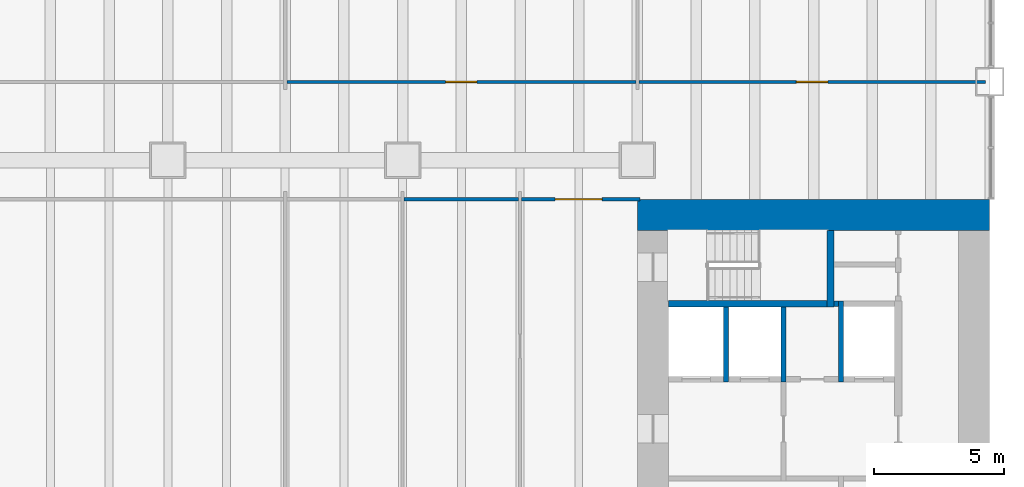
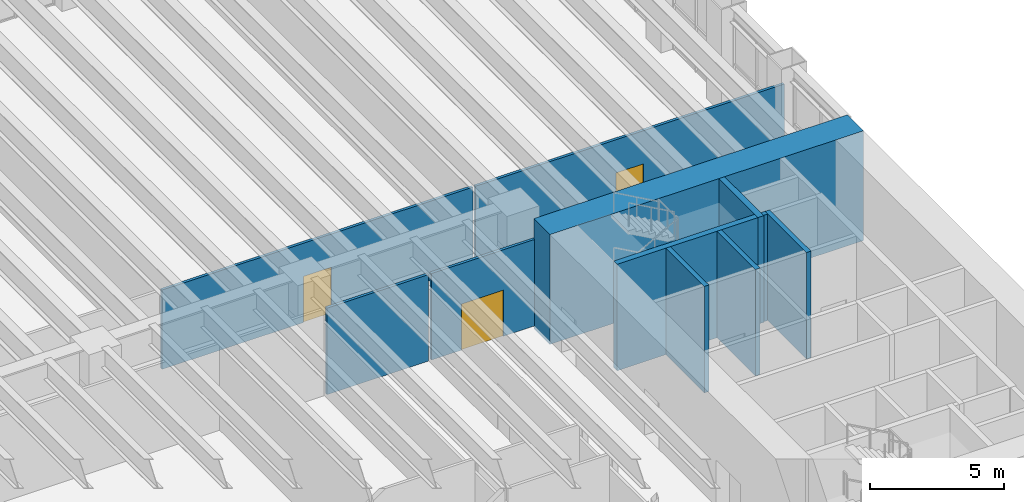
# One storey, part 14 of 21: 11 walls, 3 doors, 3 openings.
"""IFC4 building model written with IfcOpenShell, lengths in metres."""

from ifc_helpers import new_model, si_unit, direction, frame, frame_2d, origin, place, context, subcontext, project, spatial, rectangle, extrude, material, layer, layer_set, type_object, element, fill, save


model = new_model("IFC4")

# Units and contexts
model_context = context("Model", 3, precision=1e-05, world=origin(), true_north=direction((0.0, 1.0)))
body_context = subcontext(model_context, "Body", "Model", "MODEL_VIEW")
ifc_project = project(units=[si_unit("LENGTHUNIT", "METRE"), si_unit("AREAUNIT", "SQUARE_METRE"), si_unit("VOLUMEUNIT", "CUBIC_METRE"), si_unit("PLANEANGLEUNIT", "RADIAN"), si_unit("MASSUNIT", "GRAM", prefix="KILO")], contexts=[model_context])

# Site, building, storey
site_placement = place(None, origin())
site = spatial("IfcSite", under=ifc_project, at=site_placement, CompositionType="ELEMENT")
building_placement = place(site_placement, origin())
building = spatial("IfcBuilding", under=site, at=building_placement, Name="Sennacour Bend Tower", CompositionType="ELEMENT")
storey_placement = place(building_placement, frame((0.0, 0.0, 24.0)))
storey = spatial("IfcBuildingStorey", under=building, at=storey_placement, Name="L04", CompositionType="ELEMENT", Elevation=24.0)

# Walls
ifc_material_1 = material(Name="Concrete C80/95", Category="concrete")
ifc_layer_1 = layer(ifc_material_1, 1.199951171875, Name="Concrete C80/95", Category="concrete")
ifc_layer_set_1 = layer_set([ifc_layer_1], Name="Concrete C80/95")
wall_type_1 = type_object("IfcWallType", Name="Core wall 1200 C80/95", PredefinedType="SHEAR", material=ifc_layer_set_1)
wall_1_placement = place(storey_placement, frame((54.0, 21.89990234375, -0.14990234375), z_axis=(0.0, 0.0, 1.0), x_axis=(1.0, 0.0, 0.0)))
element("IfcWall", 1, at=wall_1_placement, inside=storey, type_object=wall_type_1, Name="Core A wall L04 N", PredefinedType="SHEAR", context=body_context, shape_type="SweptSolid", body=[
    extrude(rectangle(XDim=13.5, YDim=1.199951171875, at=frame_2d((6.75, 0.0))), origin(), (0.0, 0.0, 1.0), 5.0),
])
ifc_material_2 = material(Name="Plasterboard partition on steel studs", Category="steel")
ifc_layer_2 = layer(ifc_material_2, 0.1201171875, Name="Plasterboard partition on steel studs", Category="steel")
ifc_layer_set_2 = layer_set([ifc_layer_2], Name="Plasterboard partition on steel studs")
wall_type_2 = type_object("IfcWallType", Name="Partition 120", PredefinedType="PARTITIONING", material=ifc_layer_set_2)
wall_2_placement = place(storey_placement, frame((45.06005859375, 22.5, 0.0), z_axis=(0.0, 0.0, 1.0), x_axis=(1.0, 0.0, 0.0)))
element("IfcWall", 2, at=wall_2_placement, inside=storey, type_object=wall_type_2, Name="P-L04-W066ag", PredefinedType="PARTITIONING", context=body_context, shape_type="SweptSolid", body=[
    extrude(rectangle(XDim=4.3798828125, YDim=0.1201171875, at=frame_2d((2.18994140625, 0.0))), origin(), (0.0, 0.0, 1.0), 3.93798828125),
])

# Wall, opening, door
wall_3_placement = place(storey_placement, frame((40.56005859375, 27.0, 0.0), z_axis=(0.0, 0.0, 1.0), x_axis=(1.0, 0.0, 0.0)))
wall_3 = element("IfcWall", 3, at=wall_3_placement, inside=storey, type_object=wall_type_2, Name="P-L04-W069ae", PredefinedType="PARTITIONING", context=body_context, shape_type="SweptSolid", body=[
    extrude(rectangle(XDim=13.3798828125, YDim=0.1201171875, at=frame_2d((6.68994140625, 0.0))), origin(), (0.0, 0.0, 1.0), 3.610107421875),
])
opening_1_placement = place(wall_3_placement, frame((6.08984375, 0.0, 0.0)))
opening_1 = element("IfcOpeningElement", 4, at=opening_1_placement, cuts=wall_3, Name="Opening OD", PredefinedType="OPENING", context=body_context, shape_type="SweptSolid", body=[
    extrude(rectangle(XDim=1.199951171875, YDim=2.10009765625, at=frame_2d((0.60009765625, 1.050048828125))), frame((0.0, 0.070068359375, 0.0), z_axis=(0.0, -1.0, 0.0), x_axis=(1.0, 0.0, 0.0)), (0.0, 0.0, 1.0), 0.14013671875),
])
ifc_material_3 = material(Name="Timber", Category="wood")
door_type_1 = type_object("IfcDoorType", Name="DR-OFFICE-1200", OperationType="NOTDEFINED", PredefinedType="DOOR", material=ifc_material_3)
door_1_placement = place(opening_1_placement, origin())
door_1 = element("IfcDoor", 5, at=door_1_placement, inside=storey, type_object=door_type_1, Name="Door", OperationType="SINGLE_SWING_LEFT", OverallHeight=2.10009765625, OverallWidth=1.199951171875, PredefinedType="DOOR", context=body_context, shape_type="SweptSolid", body=[
    extrude(rectangle(XDim=1.199951171875, YDim=2.10009765625, at=frame_2d((0.60009765625, 1.050048828125))), frame((0.0, 0.02490234375, 0.0), z_axis=(0.0, -1.0, 0.0), x_axis=(1.0, 0.0, 0.0)), (0.0, 0.0, 1.0), 0.050048828125),
])
fill(opening_1, door_1)

wall_4_placement = place(storey_placement, frame((54.06005859375, 27.0, 0.0), z_axis=(0.0, 0.0, 1.0), x_axis=(1.0, 0.0, 0.0)))
wall_4 = element("IfcWall", 6, at=wall_4_placement, inside=storey, type_object=wall_type_2, Name="P-L04-W069af", PredefinedType="PARTITIONING", context=body_context, shape_type="SweptSolid", body=[
    extrude(rectangle(XDim=13.2900390625, YDim=0.1201171875, at=frame_2d((6.64501953125, 0.0))), origin(), (0.0, 0.0, 1.0), 3.610107421875),
])
opening_2_placement = place(wall_4_placement, frame((6.034912109375, 0.0, 0.0)))
opening_2 = element("IfcOpeningElement", 7, at=opening_2_placement, cuts=wall_4, Name="Opening OD", PredefinedType="OPENING", context=body_context, shape_type="SweptSolid", body=[
    extrude(rectangle(XDim=1.199951171875, YDim=2.10009765625, at=frame_2d((0.60009765625, 1.050048828125))), frame((0.0, 0.070068359375, 0.0), z_axis=(0.0, -1.0, 0.0), x_axis=(1.0, 0.0, 0.0)), (0.0, 0.0, 1.0), 0.14013671875),
])
door_2_placement = place(opening_2_placement, origin())
door_2 = element("IfcDoor", 8, at=door_2_placement, inside=storey, type_object=door_type_1, Name="Door", OperationType="SINGLE_SWING_LEFT", OverallHeight=2.10009765625, OverallWidth=1.199951171875, PredefinedType="DOOR", context=body_context, shape_type="SweptSolid", body=[
    extrude(rectangle(XDim=1.199951171875, YDim=2.10009765625, at=frame_2d((0.60009765625, 1.050048828125))), frame((0.0, 0.02490234375, 0.0), z_axis=(0.0, -1.0, 0.0), x_axis=(1.0, 0.0, 0.0)), (0.0, 0.0, 1.0), 0.050048828125),
])
fill(opening_2, door_2)

ifc_layer_3 = layer(ifc_material_2, 0.1201171875, Name="Plasterboard partition on steel studs", Category="steel")
ifc_layer_set_3 = layer_set([ifc_layer_3], Name="Plasterboard partition on steel studs")
wall_type_3 = type_object("IfcWallType", Name="Partition 120 EI 30", PredefinedType="PARTITIONING", material=ifc_layer_set_3)
wall_5_placement = place(storey_placement, frame((49.56005859375, 22.5, 0.0), z_axis=(0.0, 0.0, 1.0), x_axis=(1.0, 0.0, 0.0)))
wall_5 = element("IfcWall", 9, at=wall_5_placement, inside=storey, type_object=wall_type_3, Name="P-L04-W066ah", PredefinedType="PARTITIONING", context=body_context, shape_type="SweptSolid", body=[
    extrude(rectangle(XDim=4.5400390625, YDim=0.1201171875, at=frame_2d((2.27001953125, 0.0))), origin(), (0.0, 0.0, 1.0), 3.93798828125),
])
opening_3_placement = place(wall_5_placement, frame((1.289794921875, 0.0, 0.0)))
opening_3 = element("IfcOpeningElement", 10, at=opening_3_placement, cuts=wall_5, Name="Opening KD3", PredefinedType="OPENING", context=body_context, shape_type="SweptSolid", body=[
    extrude(rectangle(XDim=1.800048828125, YDim=2.10009765625, at=frame_2d((0.89990234375, 1.050048828125))), frame((0.0, 0.070068359375, 0.0), z_axis=(0.0, -1.0, 0.0), x_axis=(1.0, 0.0, 0.0)), (0.0, 0.0, 1.0), 0.14013671875),
])
ifc_material_4 = material(Name="Painted steel", Category="steel")
door_type_2 = type_object("IfcDoorType", Name="DR-CORRIDOR-1800", OperationType="NOTDEFINED", PredefinedType="DOOR", material=ifc_material_4)
door_3_placement = place(opening_3_placement, origin())
door_3 = element("IfcDoor", 11, at=door_3_placement, inside=storey, type_object=door_type_2, Name="Door", OperationType="DOUBLE_DOOR_SINGLE_SWING", OverallHeight=2.10009765625, OverallWidth=1.800048828125, PredefinedType="DOOR", context=body_context, shape_type="SweptSolid", body=[
    extrude(rectangle(XDim=1.800048828125, YDim=2.10009765625, at=frame_2d((0.89990234375, 1.050048828125))), frame((0.0, 0.02490234375, 0.0), z_axis=(0.0, -1.0, 0.0), x_axis=(1.0, 0.0, 0.0)), (0.0, 0.0, 1.0), 0.050048828125),
])
fill(opening_3, door_3)

# Walls
ifc_material_5 = material(Name="Fire-rated plasterboard partition on steel studs", Category="steel")
ifc_layer_4 = layer(ifc_material_5, 0.199951171875, Name="Fire-rated plasterboard partition on steel studs", Category="steel")
ifc_layer_set_4 = layer_set([ifc_layer_4], Name="Fire-rated plasterboard partition on steel studs")
wall_type_4 = type_object("IfcWallType", Name="Rated partition 200", PredefinedType="PARTITIONING", material=ifc_layer_set_4)
wall_6_placement = place(storey_placement, frame((61.52490234375, 18.5, 0.0), z_axis=(0.0, 0.0, 1.0), x_axis=(1.0, 0.0, 0.0)))
element("IfcWall", 12, at=wall_6_placement, inside=storey, type_object=wall_type_4, Name="P-L04-W063", PredefinedType="PARTITIONING", context=body_context, shape_type="SweptSolid", body=[
    extrude(rectangle(XDim=0.175048828125, YDim=0.199951171875, at=frame_2d((0.08740234375, 0.0))), origin(), (0.0, 0.0, 1.0), 4.85009765625),
])
ifc_material_6 = material(Name="Concrete C50/60", Category="concrete")
ifc_layer_5 = layer(ifc_material_6, 0.199951171875, Name="Concrete C50/60", Category="concrete")
ifc_layer_set_5 = layer_set([ifc_layer_5], Name="Concrete C50/60")
wall_type_5 = type_object("IfcWallType", Name="Shaft wall 200", PredefinedType="SOLIDWALL", material=ifc_layer_set_5)
for number, where, z_axis, x_axis, name in (
    (13, (57.39990234375, 15.5, 0.0), (0.0, 0.0, 1.0), (0.0, 1.0, 0.0), "P-L04-W032"),
    (14, (59.60009765625, 15.5, 0.0), (0.0, 0.0, 1.0), (0.0, 1.0, 0.0), "P-L04-W035"),
):
    element("IfcWall", number, at=place(storey_placement, frame(where, z_axis=z_axis, x_axis=x_axis)), inside=storey, type_object=wall_type_5, Name=name, PredefinedType="SOLIDWALL", context=body_context, shape_type="SweptSolid", body=[
        extrude(rectangle(XDim=2.875, YDim=0.199951171875, at=frame_2d((1.4375, 0.0))), origin(), (0.0, 0.0, 1.0), 4.85009765625),
    ])
wall_7_placement = place(storey_placement, frame((61.800048828125, 15.5, 0.0), z_axis=(0.0, 0.0, 1.0), x_axis=(0.0, 1.0, 0.0)))
element("IfcWall", 15, at=wall_7_placement, inside=storey, type_object=wall_type_5, Name="P-L04-W040", PredefinedType="SOLIDWALL", context=body_context, shape_type="SweptSolid", body=[
    extrude(rectangle(XDim=3.10009765625, YDim=0.199951171875, at=frame_2d((1.550048828125, 0.0))), origin(), (0.0, 0.0, 1.0), 4.85009765625),
])
ifc_material_7 = material(Name="Concrete C60/75", Category="concrete")
ifc_layer_6 = layer(ifc_material_7, 0.25, Name="Concrete C60/75", Category="concrete")
ifc_layer_set_6 = layer_set([ifc_layer_6], Name="Concrete C60/75")
wall_type_6 = type_object("IfcWallType", Name="Stair wall 250", PredefinedType="SHEAR", material=ifc_layer_set_6)
wall_8_placement = place(storey_placement, frame((61.39990234375, 18.375, 0.0), z_axis=(0.0, 0.0, 1.0), x_axis=(0.0, 1.0, 0.0)))
element("IfcWall", 16, at=wall_8_placement, inside=storey, type_object=wall_type_6, Name="P-L04-W037", PredefinedType="SHEAR", context=body_context, shape_type="SweptSolid", body=[
    extrude(rectangle(XDim=2.925048828125, YDim=0.25, at=frame_2d((1.46240234375, 0.0))), origin(), (0.0, 0.0, 1.0), 4.85009765625),
])
wall_9_placement = place(storey_placement, frame((55.199951171875, 18.5, 0.0), z_axis=(0.0, 0.0, 1.0), x_axis=(1.0, 0.0, 0.0)))
element("IfcWall", 17, at=wall_9_placement, inside=storey, type_object=wall_type_6, Name="P-L04-W062", PredefinedType="SHEAR", context=body_context, shape_type="SweptSolid", body=[
    extrude(rectangle(XDim=6.074951171875, YDim=0.25, at=frame_2d((3.03759765625, 0.0))), origin(), (0.0, 0.0, 1.0), 4.85009765625),
])

save(model, "model.ifc")
